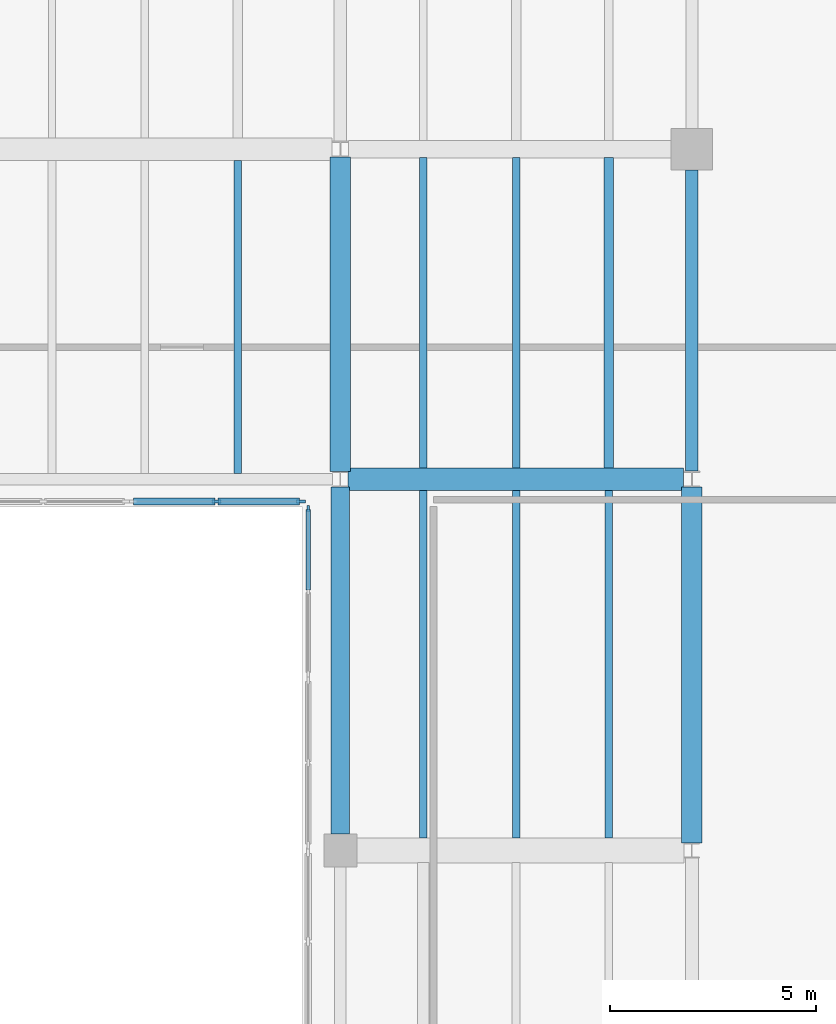
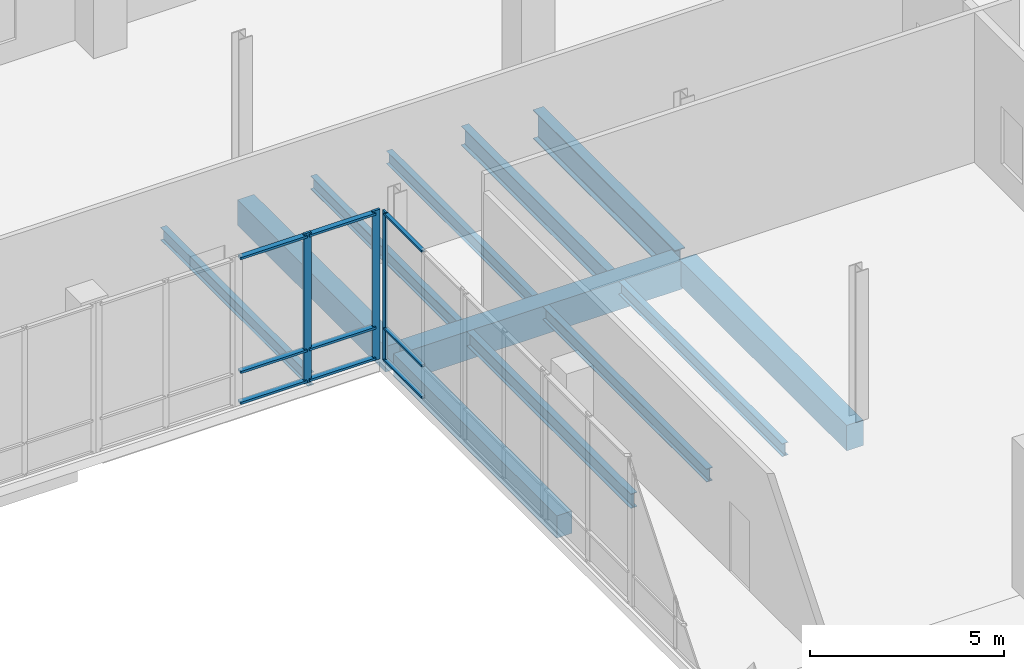
# One storey, part 44 of 73: 12 beams, 12 members, 2 elements without a shape of their own.
"""IFC4 building model written with IfcOpenShell, lengths in metres."""

from ifc_helpers import new_model, si_unit, direction, frame, origin, origin_2d, place, context, subcontext, project, spatial, rectangle, i_section, extrude, material, material_profile, profile_set, type_object, element, aggregate, save


model = new_model("IFC4")

# Units and contexts
model_context = context("Model", 3, precision=1e-05, world=origin(), true_north=direction((0.0, 1.0)))
body_context = subcontext(model_context, "Body", "Model", "MODEL_VIEW")
ifc_project = project(units=[si_unit("LENGTHUNIT", "METRE"), si_unit("AREAUNIT", "SQUARE_METRE"), si_unit("VOLUMEUNIT", "CUBIC_METRE"), si_unit("PLANEANGLEUNIT", "RADIAN"), si_unit("MASSUNIT", "GRAM", prefix="KILO")], contexts=[model_context])

# Site, building, storey
site_placement = place(None, origin())
site = spatial("IfcSite", under=ifc_project, at=site_placement, CompositionType="ELEMENT")
building_placement = place(site_placement, origin())
building = spatial("IfcBuilding", under=site, at=building_placement, Name="Trimount Lyric Opera House", CompositionType="ELEMENT")
storey_placement = place(building_placement, frame((0.0, 0.0, 10.0)))
storey = spatial("IfcBuildingStorey", under=building, at=storey_placement, Name="L02", CompositionType="ELEMENT", Elevation=10.0)

# Beams
ifc_material_1 = material(Name="Steel ASTM A992 Grade 50", Category="steel")
ifc_material_profile_1 = material_profile(ifc_material_1, i_section(OverallWidth=0.304931640625, OverallDepth=0.9189453125, WebThickness=0.017333984375, FlangeThickness=0.02783203125, FilletRadius=0.02001953125, at=origin_2d()), Name="W36X170")
ifc_profile_set_1 = profile_set([ifc_material_profile_1], Name="Steel ASTM A992 Grade 50")
beam_type_1 = type_object("IfcBeamType", Name="B-03", PredefinedType="BEAM", material=ifc_profile_set_1)
beam_1_placement = place(storey_placement, frame((156.760009765625, 102.193115234375, -0.74951171875), z_axis=(0.0, 1.0, 0.0), x_axis=(-1.0, 0.0, 0.0)))
element("IfcBeam", 1, at=beam_1_placement, inside=storey, type_object=beam_type_1, Name="L02 girder Y-0922", PredefinedType="BEAM", context=body_context, shape_type="SweptSolid", body=[
    extrude(i_section(OverallWidth=0.304931640625, OverallDepth=0.9189453125, WebThickness=0.017333984375, FlangeThickness=0.02783203125, FilletRadius=0.02001953125, at=origin_2d()), origin(), (0.0, 0.0, 1.0), 7.306884765625),
])
ifc_material_2 = material(Name="Concrete C40/50", Category="concrete")
ifc_material_profile_2 = material_profile(ifc_material_2, rectangle(XDim=0.550048828125, YDim=0.89990234375, at=origin_2d()), Name="RC550X900")
ifc_profile_set_2 = profile_set([ifc_material_profile_2], Name="Concrete C40/50")
beam_type_2 = type_object("IfcBeamType", Name="B-14", PredefinedType="BEAM", material=ifc_profile_set_2)
beam_2_placement = place(storey_placement, frame((148.426513671875, 102.0, -0.739990234375), z_axis=(1.0, 0.0, 0.0), x_axis=(0.0, 1.0, 0.0)))
element("IfcBeam", 2, at=beam_2_placement, inside=storey, type_object=beam_type_2, Name="L02 girder X-0798", PredefinedType="BEAM", context=body_context, shape_type="SweptSolid", body=[
    extrude(rectangle(XDim=0.550048828125, YDim=0.89990234375, at=origin_2d()), origin(), (0.0, 0.0, 1.0), 8.134033203125),
])
ifc_material_3 = material(Name="Concrete C40/50", Category="concrete")
ifc_material_profile_3 = material_profile(ifc_material_3, rectangle(XDim=0.5, YDim=0.800048828125, at=origin_2d()), Name="RC500X800")
ifc_profile_set_3 = profile_set([ifc_material_profile_3], Name="Concrete C40/50")
beam_type_3 = type_object("IfcBeamType", Name="B-15", PredefinedType="BEAM", material=ifc_profile_set_3)
beam_3_placement = place(storey_placement, frame((148.239990234375, 102.18408203125, -0.68994140625), z_axis=(0.0, 1.0, 0.0), x_axis=(-1.0, 0.0, 0.0)))
element("IfcBeam", 3, at=beam_3_placement, inside=storey, type_object=beam_type_3, Name="L02 girder Y-0915", PredefinedType="BEAM", context=body_context, shape_type="SweptSolid", body=[
    extrude(rectangle(XDim=0.5, YDim=0.800048828125, at=origin_2d()), origin(), (0.0, 0.0, 1.0), 7.622802734375),
])
beam_4_placement = place(storey_placement, frame((156.760009765625, 93.18408203125, -0.68994140625), z_axis=(0.0, 1.0, 0.0), x_axis=(-1.0, 0.0, 0.0)))
element("IfcBeam", 4, at=beam_4_placement, inside=storey, type_object=beam_type_3, Name="L02 girder Y-0921", PredefinedType="BEAM", context=body_context, shape_type="SweptSolid", body=[
    extrude(rectangle(XDim=0.5, YDim=0.800048828125, at=origin_2d()), origin(), (0.0, 0.0, 1.0), 8.622802734375),
])
ifc_material_4 = material(Name="Steel ASTM A992 Grade 50", Category="steel")
ifc_material_profile_4 = material_profile(ifc_material_4, i_section(OverallWidth=0.22802734375, OverallDepth=0.60205078125, WebThickness=0.010498046875, FlangeThickness=0.014892578125, FilletRadius=0.012939453125, at=origin_2d()), Name="W24X68")
ifc_profile_set_4 = profile_set([ifc_material_profile_4], Name="Steel ASTM A992 Grade 50")
beam_type_4 = type_object("IfcBeamType", Name="J-01", PredefinedType="BEAM", material=ifc_profile_set_4)
beam_5_placement = place(storey_placement, frame((154.75, 102.27099609375, -0.591064453125), z_axis=(0.0, 1.0, 0.0), x_axis=(-1.0, 0.0, 0.0)))
element("IfcBeam", 5, at=beam_5_placement, inside=storey, type_object=beam_type_4, Name="L02 composite floor joist 0961", PredefinedType="BEAM", context=body_context, shape_type="SweptSolid", body=[
    extrude(i_section(OverallWidth=0.22802734375, OverallDepth=0.60205078125, WebThickness=0.010498046875, FlangeThickness=0.014892578125, FilletRadius=0.012939453125, at=origin_2d()), origin(), (0.0, 0.0, 1.0), 7.5234375),
])
ifc_material_5 = material(Name="Steel ASTM A992 Grade 50", Category="steel")
ifc_material_profile_5 = material_profile(ifc_material_5, i_section(OverallWidth=0.19091796875, OverallDepth=0.45703125, WebThickness=0.009033203125, FlangeThickness=0.014404296875, FilletRadius=0.010986328125, at=origin_2d()), Name="W18X50")
ifc_profile_set_5 = profile_set([ifc_material_profile_5], Name="Steel ASTM A992 Grade 50")
beam_type_5 = type_object("IfcBeamType", Name="J-04", PredefinedType="BEAM", material=ifc_profile_set_5)
beam_6_placement = place(storey_placement, frame((150.25, 93.2958984375, -0.5185546875), z_axis=(0.0, 1.0, 0.0), x_axis=(-1.0, 0.0, 0.0)))
element("IfcBeam", 6, at=beam_6_placement, inside=storey, type_object=beam_type_5, Name="L02 composite floor joist 0956", PredefinedType="BEAM", context=body_context, shape_type="SweptSolid", body=[
    extrude(i_section(OverallWidth=0.19091796875, OverallDepth=0.45703125, WebThickness=0.009033203125, FlangeThickness=0.014404296875, FilletRadius=0.010986328125, at=origin_2d()), origin(), (0.0, 0.0, 1.0), 8.43310546875),
])
ifc_material_6 = material(Name="Steel ASTM A992 Grade 50", Category="steel")
ifc_material_profile_6 = material_profile(ifc_material_6, i_section(OverallWidth=0.180908203125, OverallDepth=0.4169921875, WebThickness=0.010986328125, FlangeThickness=0.018310546875, FilletRadius=0.010986328125, at=origin_2d()), Name="W16X57")
ifc_profile_set_6 = profile_set([ifc_material_profile_6], Name="Steel ASTM A992 Grade 50")
beam_type_6 = type_object("IfcBeamType", Name="J-05", PredefinedType="BEAM", material=ifc_profile_set_6)
beam_7_placement = place(storey_placement, frame((152.5, 93.2958984375, -0.49853515625), z_axis=(0.0, 1.0, 0.0), x_axis=(-1.0, 0.0, 0.0)))
element("IfcBeam", 7, at=beam_7_placement, inside=storey, type_object=beam_type_6, Name="L02 composite floor joist 0957", PredefinedType="BEAM", context=body_context, shape_type="SweptSolid", body=[
    extrude(i_section(OverallWidth=0.180908203125, OverallDepth=0.4169921875, WebThickness=0.010986328125, FlangeThickness=0.018310546875, FilletRadius=0.010986328125, at=origin_2d()), origin(), (0.0, 0.0, 1.0), 8.43310546875),
])
beam_8_placement = place(storey_placement, frame((150.25, 102.27099609375, -0.49853515625), z_axis=(0.0, 1.0, 0.0), x_axis=(-1.0, 0.0, 0.0)))
element("IfcBeam", 8, at=beam_8_placement, inside=storey, type_object=beam_type_6, Name="L02 composite floor joist 0959", PredefinedType="BEAM", context=body_context, shape_type="SweptSolid", body=[
    extrude(i_section(OverallWidth=0.180908203125, OverallDepth=0.4169921875, WebThickness=0.010986328125, FlangeThickness=0.018310546875, FilletRadius=0.010986328125, at=origin_2d()), origin(), (0.0, 0.0, 1.0), 7.5234375),
])
ifc_material_7 = material(Name="Steel ASTM A992 Grade 50", Category="steel")
ifc_material_profile_7 = material_profile(ifc_material_7, i_section(OverallWidth=0.177978515625, OverallDepth=0.404052734375, WebThickness=0.007568359375, FlangeThickness=0.010986328125, FilletRadius=0.010009765625, at=origin_2d()), Name="W16X36")
ifc_profile_set_7 = profile_set([ifc_material_profile_7], Name="Steel ASTM A992 Grade 50")
beam_type_7 = type_object("IfcBeamType", Name="J-06", PredefinedType="BEAM", material=ifc_profile_set_7)
beam_9_placement = place(storey_placement, frame((145.75, 102.136962890625, -0.491943359375), z_axis=(0.0, 1.0, 0.0), x_axis=(-1.0, 0.0, 0.0)))
element("IfcBeam", 9, at=beam_9_placement, inside=storey, type_object=beam_type_7, Name="L02 composite floor joist 0940", PredefinedType="BEAM", context=body_context, shape_type="SweptSolid", body=[
    extrude(i_section(OverallWidth=0.177978515625, OverallDepth=0.404052734375, WebThickness=0.007568359375, FlangeThickness=0.010986328125, FilletRadius=0.010009765625, at=origin_2d()), origin(), (0.0, 0.0, 1.0), 7.592041015625),
])
beam_10_placement = place(storey_placement, frame((154.75, 93.2958984375, -0.491943359375), z_axis=(0.0, 1.0, 0.0), x_axis=(-1.0, 0.0, 0.0)))
element("IfcBeam", 10, at=beam_10_placement, inside=storey, type_object=beam_type_7, Name="L02 composite floor joist 0958", PredefinedType="BEAM", context=body_context, shape_type="SweptSolid", body=[
    extrude(i_section(OverallWidth=0.177978515625, OverallDepth=0.404052734375, WebThickness=0.007568359375, FlangeThickness=0.010986328125, FilletRadius=0.010009765625, at=origin_2d()), origin(), (0.0, 0.0, 1.0), 8.43310546875),
])
beam_11_placement = place(storey_placement, frame((152.5, 102.27099609375, -0.491943359375), z_axis=(0.0, 1.0, 0.0), x_axis=(-1.0, 0.0, 0.0)))
element("IfcBeam", 11, at=beam_11_placement, inside=storey, type_object=beam_type_7, Name="L02 composite floor joist 0960", PredefinedType="BEAM", context=body_context, shape_type="SweptSolid", body=[
    extrude(i_section(OverallWidth=0.177978515625, OverallDepth=0.404052734375, WebThickness=0.007568359375, FlangeThickness=0.010986328125, FilletRadius=0.010009765625, at=origin_2d()), origin(), (0.0, 0.0, 1.0), 7.5234375),
])

# Curtain wall, members
ifc_material_8 = material(Name="Thermally Broken Aluminium and Low-E Glass", Category="aluminium")
curtain_wall_type = type_object("IfcCurtainWallType", Name="CW-03", PredefinedType="NOTDEFINED", material=ifc_material_8)
curtain_wall_1_placement = place(storey_placement, origin())
curtain_wall_1 = element("IfcCurtainWall", 12, at=curtain_wall_1_placement, inside=storey, type_object=curtain_wall_type, Name="L02 curtain wall 234", PredefinedType="NOTDEFINED")
ifc_material_9 = material(Name="Anodised Aluminium 6063-T6", Category="aluminium")
ifc_material_profile_8 = material_profile(ifc_material_9, rectangle(XDim=0.070068359375, YDim=0.219970703125, at=origin_2d()), Name="ALU-MULL-70X220")
ifc_profile_set_8 = profile_set([ifc_material_profile_8], Name="Anodised Aluminium 6063-T6")
member_type_1 = type_object("IfcMemberType", Name="ML-01", PredefinedType="MULLION", material=ifc_profile_set_8)
member_1_placement = place(storey_placement, frame((147.284912109375, 101.4599609375, 0.0), z_axis=(0.0, 0.0, 1.0), x_axis=(0.0, -1.0, 0.0)))
member_1 = element("IfcMember", 13, at=member_1_placement, type_object=member_type_1, Name="CW-03 mullion 1", PredefinedType="MULLION", context=body_context, shape_type="SweptSolid", body=[
    extrude(rectangle(XDim=0.070068359375, YDim=0.219970703125, at=origin_2d()), origin(), (0.0, 0.0, 1.0), 4.7099609375),
])
member_2_placement = place(storey_placement, frame((145.239990234375, 101.4599609375, 0.0), z_axis=(0.0, 0.0, 1.0), x_axis=(0.0, -1.0, 0.0)))
member_2 = element("IfcMember", 14, at=member_2_placement, type_object=member_type_1, Name="CW-03 mullion 2", PredefinedType="MULLION", context=body_context, shape_type="SweptSolid", body=[
    extrude(rectangle(XDim=0.070068359375, YDim=0.219970703125, at=origin_2d()), origin(), (0.0, 0.0, 1.0), 4.7099609375),
])

# Curtain wall, member
curtain_wall_2_placement = place(storey_placement, origin())
curtain_wall_2 = element("IfcCurtainWall", 15, at=curtain_wall_2_placement, inside=storey, type_object=curtain_wall_type, Name="L02 curtain wall 233", PredefinedType="NOTDEFINED")
ifc_material_10 = material(Name="Anodised Aluminium 6063-T6", Category="aluminium")
ifc_material_profile_9 = material_profile(ifc_material_10, rectangle(XDim=0.06005859375, YDim=0.14990234375, at=origin_2d()), Name="ALU-MULL-60X150")
ifc_profile_set_9 = profile_set([ifc_material_profile_9], Name="Anodised Aluminium 6063-T6")
member_type_2 = type_object("IfcMemberType", Name="ML-03", PredefinedType="MULLION", material=ifc_profile_set_9)
member_3_placement = place(storey_placement, frame((147.4599609375, 101.2900390625, 0.0), z_axis=(0.0, 0.0, 1.0), x_axis=(-1.0, 0.0, 0.0)))
member_3 = element("IfcMember", 16, at=member_3_placement, type_object=member_type_2, Name="CW-03 mullion 3", PredefinedType="MULLION", context=body_context, shape_type="SweptSolid", body=[
    extrude(rectangle(XDim=0.06005859375, YDim=0.14990234375, at=origin_2d()), origin(), (0.0, 0.0, 1.0), 4.7099609375),
])

# Beam
ifc_material_11 = material(Name="Concrete C40/50", Category="concrete")
ifc_material_profile_10 = material_profile(ifc_material_11, rectangle(XDim=0.449951171875, YDim=0.699951171875, at=origin_2d()), Name="RC450X700")
ifc_profile_set_10 = profile_set([ifc_material_profile_10], Name="Concrete C40/50")
beam_type_8 = type_object("IfcBeamType", Name="SP-02", PredefinedType="SPANDREL", material=ifc_profile_set_10)
beam_12_placement = place(storey_placement, frame((148.239990234375, 93.39990234375, -0.639892578125), z_axis=(0.0, 1.0, 0.0), x_axis=(-1.0, 0.0, 0.0)))
element("IfcBeam", 17, at=beam_12_placement, inside=storey, type_object=beam_type_8, Name="L02 girder Y-0914", PredefinedType="SPANDREL", context=body_context, shape_type="SweptSolid", body=[
    extrude(rectangle(XDim=0.449951171875, YDim=0.699951171875, at=origin_2d()), origin(), (0.0, 0.0, 1.0), 8.416015625),
])

# Member
ifc_material_12 = material(Name="Anodised Aluminium 6063-T6", Category="aluminium")
ifc_material_profile_11 = material_profile(ifc_material_12, rectangle(XDim=0.159912109375, YDim=0.070068359375, at=origin_2d()), Name="ALU-TRAN-70X160")
ifc_profile_set_11 = profile_set([ifc_material_profile_11], Name="Anodised Aluminium 6063-T6")
member_type_3 = type_object("IfcMemberType", Name="TR-01", PredefinedType="USERDEFINED", material=ifc_profile_set_11)
member_4_placement = place(storey_placement, frame((147.25, 101.4599609375, 0.080078125), z_axis=(-1.0, 0.0, 0.0), x_axis=(0.0, -1.0, 0.0)))
member_4 = element("IfcMember", 18, at=member_4_placement, type_object=member_type_3, Name="CW-03 transom 1.1", ObjectType="TRANSOM", PredefinedType="USERDEFINED", context=body_context, shape_type="SweptSolid", body=[
    extrude(rectangle(XDim=0.159912109375, YDim=0.070068359375, at=origin_2d()), origin(), (0.0, 0.0, 1.0), 1.97509765625),
])

member_5_placement = place(storey_placement, frame((147.25, 101.4599609375, 1.050048828125), z_axis=(-1.0, 0.0, 0.0), x_axis=(0.0, -1.0, 0.0)))
member_5 = element("IfcMember", 19, at=member_5_placement, type_object=member_type_3, Name="CW-03 transom 1.2", ObjectType="TRANSOM", PredefinedType="USERDEFINED", context=body_context, shape_type="SweptSolid", body=[
    extrude(rectangle(XDim=0.159912109375, YDim=0.070068359375, at=origin_2d()), origin(), (0.0, 0.0, 1.0), 1.97509765625),
])

member_6_placement = place(storey_placement, frame((147.25, 101.4599609375, 4.6298828125), z_axis=(-1.0, 0.0, 0.0), x_axis=(0.0, -1.0, 0.0)))
member_6 = element("IfcMember", 20, at=member_6_placement, type_object=member_type_3, Name="CW-03 transom 1.3", ObjectType="TRANSOM", PredefinedType="USERDEFINED", context=body_context, shape_type="SweptSolid", body=[
    extrude(rectangle(XDim=0.159912109375, YDim=0.070068359375, at=origin_2d()), origin(), (0.0, 0.0, 1.0), 1.97509765625),
])

member_7_placement = place(storey_placement, frame((145.205078125, 101.4599609375, 0.080078125), z_axis=(-1.0, 0.0, 0.0), x_axis=(0.0, -1.0, 0.0)))
member_7 = element("IfcMember", 21, at=member_7_placement, type_object=member_type_3, Name="CW-03 transom 2.1", ObjectType="TRANSOM", PredefinedType="USERDEFINED", context=body_context, shape_type="SweptSolid", body=[
    extrude(rectangle(XDim=0.159912109375, YDim=0.070068359375, at=origin_2d()), origin(), (0.0, 0.0, 1.0), 1.97509765625),
])

member_8_placement = place(storey_placement, frame((145.205078125, 101.4599609375, 1.050048828125), z_axis=(-1.0, 0.0, 0.0), x_axis=(0.0, -1.0, 0.0)))
member_8 = element("IfcMember", 22, at=member_8_placement, type_object=member_type_3, Name="CW-03 transom 2.2", ObjectType="TRANSOM", PredefinedType="USERDEFINED", context=body_context, shape_type="SweptSolid", body=[
    extrude(rectangle(XDim=0.159912109375, YDim=0.070068359375, at=origin_2d()), origin(), (0.0, 0.0, 1.0), 1.97509765625),
])

member_9_placement = place(storey_placement, frame((145.205078125, 101.4599609375, 4.6298828125), z_axis=(-1.0, 0.0, 0.0), x_axis=(0.0, -1.0, 0.0)))
member_9 = element("IfcMember", 23, at=member_9_placement, type_object=member_type_3, Name="CW-03 transom 2.3", ObjectType="TRANSOM", PredefinedType="USERDEFINED", context=body_context, shape_type="SweptSolid", body=[
    extrude(rectangle(XDim=0.159912109375, YDim=0.070068359375, at=origin_2d()), origin(), (0.0, 0.0, 1.0), 1.97509765625),
])

aggregate(curtain_wall_1, [member_1, member_2, member_4, member_5, member_6, member_7, member_8, member_9])

ifc_material_13 = material(Name="Anodised Aluminium 6063-T6", Category="aluminium")
ifc_material_profile_12 = material_profile(ifc_material_13, rectangle(XDim=0.114990234375, YDim=0.06005859375, at=origin_2d()), Name="ALU-TRAN-60X115")
ifc_profile_set_12 = profile_set([ifc_material_profile_12], Name="Anodised Aluminium 6063-T6")
member_type_4 = type_object("IfcMemberType", Name="TR-03", PredefinedType="USERDEFINED", material=ifc_profile_set_12)
member_10_placement = place(storey_placement, frame((147.4599609375, 99.31494140625, 0.0576171875), z_axis=(0.0, 1.0, 0.0), x_axis=(-1.0, 0.0, 0.0)))
member_10 = element("IfcMember", 24, at=member_10_placement, type_object=member_type_4, Name="CW-03 transom 2.1", ObjectType="TRANSOM", PredefinedType="USERDEFINED", context=body_context, shape_type="SweptSolid", body=[
    extrude(rectangle(XDim=0.114990234375, YDim=0.06005859375, at=origin_2d()), origin(), (0.0, 0.0, 1.0), 1.945068359375),
])

member_11_placement = place(storey_placement, frame((147.4599609375, 99.31494140625, 1.050048828125), z_axis=(0.0, 1.0, 0.0), x_axis=(-1.0, 0.0, 0.0)))
member_11 = element("IfcMember", 25, at=member_11_placement, type_object=member_type_4, Name="CW-03 transom 2.2", ObjectType="TRANSOM", PredefinedType="USERDEFINED", context=body_context, shape_type="SweptSolid", body=[
    extrude(rectangle(XDim=0.114990234375, YDim=0.06005859375, at=origin_2d()), origin(), (0.0, 0.0, 1.0), 1.945068359375),
])

member_12_placement = place(storey_placement, frame((147.4599609375, 99.31494140625, 4.652587890625), z_axis=(0.0, 1.0, 0.0), x_axis=(-1.0, 0.0, 0.0)))
member_12 = element("IfcMember", 26, at=member_12_placement, type_object=member_type_4, Name="CW-03 transom 2.3", ObjectType="TRANSOM", PredefinedType="USERDEFINED", context=body_context, shape_type="SweptSolid", body=[
    extrude(rectangle(XDim=0.114990234375, YDim=0.06005859375, at=origin_2d()), origin(), (0.0, 0.0, 1.0), 1.945068359375),
])

aggregate(curtain_wall_2, [member_3, member_10, member_11, member_12])

save(model, "model.ifc")
